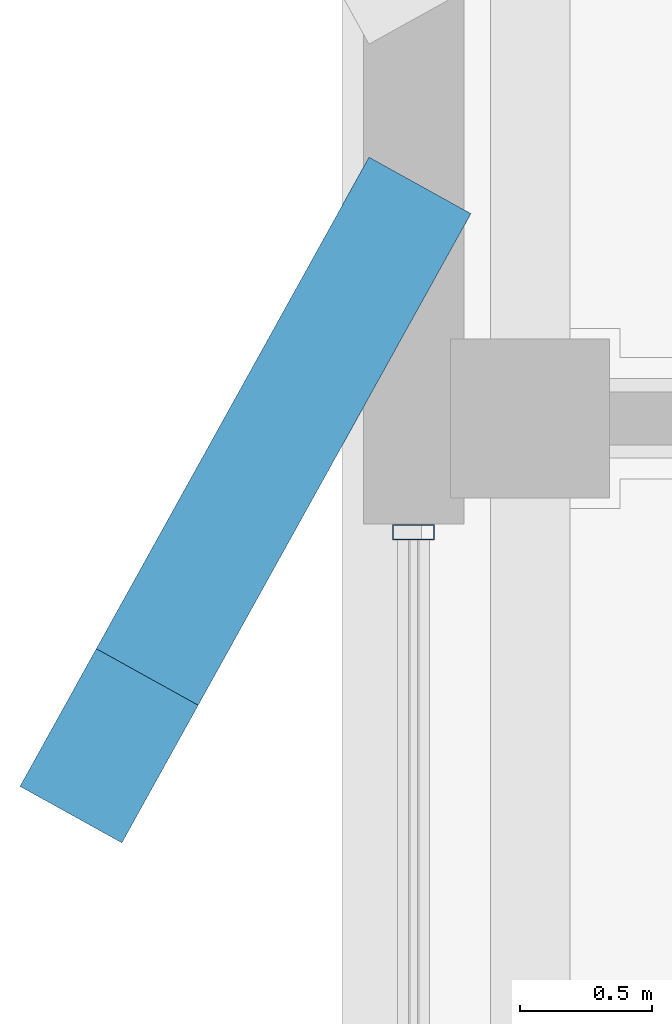
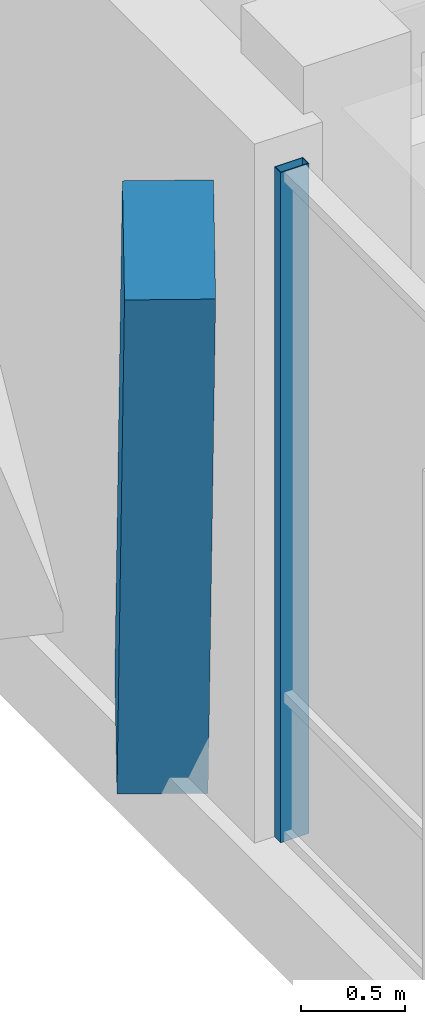
# One storey, part 96 of 233: 2 members, 1 element without a shape of its own.
"""IFC4 building model written with IfcOpenShell, lengths in metres."""

from ifc_helpers import new_model, si_unit, direction, frame, origin, origin_2d, place, context, subcontext, project, spatial, rectangle, hollow_rectangle, extrude, material, material_profile, profile_set, type_object, element, aggregate, save


model = new_model("IFC4")

# Units and contexts
model_context = context("Model", 3, precision=1e-05, world=origin(), true_north=direction((0.0, 1.0)))
body_context = subcontext(model_context, "Body", "Model", "MODEL_VIEW")
ifc_project = project(units=[si_unit("LENGTHUNIT", "METRE"), si_unit("AREAUNIT", "SQUARE_METRE"), si_unit("VOLUMEUNIT", "CUBIC_METRE"), si_unit("PLANEANGLEUNIT", "RADIAN"), si_unit("MASSUNIT", "GRAM", prefix="KILO")], contexts=[model_context])

# Site, building, storey
site_placement = place(None, origin())
site = spatial("IfcSite", under=ifc_project, at=site_placement, CompositionType="ELEMENT")
building_placement = place(site_placement, origin())
building = spatial("IfcBuilding", under=site, at=building_placement, Name="Zavelmont Quarter", CompositionType="ELEMENT")
storey_placement = place(building_placement, origin())
storey = spatial("IfcBuildingStorey", under=building, at=storey_placement, Name="L00", CompositionType="ELEMENT", Elevation=0.0)

# Curtain wall, member
ifc_material_1 = material(Name="Thermally broken aluminium and double low-E safety glazing", Category="aluminium")
curtain_wall_type = type_object("IfcCurtainWallType", Name="CW-670X395", PredefinedType="NOTDEFINED", material=ifc_material_1)
curtain_wall_placement = place(storey_placement, origin())
curtain_wall = element("IfcCurtainWall", 1, at=curtain_wall_placement, inside=storey, type_object=curtain_wall_type, Name="L00 unitised curtain wall CW-670X395", PredefinedType="NOTDEFINED")
ifc_material_2 = material(Name="Powder-coated aluminium EN AW-6063-T6", Category="aluminium")
ifc_material_profile_1 = material_profile(ifc_material_2, hollow_rectangle(XDim=0.06005859375, YDim=0.159912109375, WallThickness=0.00390625, at=origin_2d()), Name="CWM60X160")
ifc_profile_set_1 = profile_set([ifc_material_profile_1], Name="Powder-coated aluminium EN AW-6063-T6")
member_type_1 = type_object("IfcMemberType", Name="CWM01", PredefinedType="MULLION", material=ifc_profile_set_1)
member_1_placement = place(storey_placement, frame((0.0, 105.169921875, 0.0), z_axis=(0.0, 0.0, 1.0), x_axis=(0.0, 1.0, 0.0)))
member_1 = element("IfcMember", 2, at=member_1_placement, type_object=member_type_1, Name="CW-670X395 mullion 4", PredefinedType="MULLION", context=body_context, shape_type="SweptSolid", body=[
    extrude(hollow_rectangle(XDim=0.06005859375, YDim=0.159912109375, WallThickness=0.00390625, at=origin_2d()), origin(), (0.0, 0.0, 1.0), 3.949951171875),
])
aggregate(curtain_wall, [member_1])

# Member
ifc_material_3 = material(Name="White architectural precast concrete C40/50", Category="concrete")
ifc_material_profile_2 = material_profile(ifc_material_3, rectangle(XDim=0.43994140625, YDim=0.659912109375, at=origin_2d()), Name="PCR320X480")
ifc_profile_set_2 = profile_set([ifc_material_profile_2], Name="White architectural precast concrete C40/50")
member_type_2 = type_object("IfcMemberType", Name="VR01M", PredefinedType="CHORD", material=ifc_profile_set_2)
member_2_placement = place(storey_placement, frame((-0.1201171875, 106.219970703125, 0.0), z_axis=(-0.210789355932, -0.380050510162, 0.900627257611), x_axis=(0.87449877522, -0.485027723061, 0.0)))
element("IfcMember", 3, at=member_2_placement, inside=storey, type_object=member_type_2, Name="L00 member VR01M 1/Q to 1/Q", PredefinedType="CHORD", context=body_context, shape_type="SweptSolid", body=[
    extrude(rectangle(XDim=0.43994140625, YDim=0.659912109375, at=origin_2d()), origin(), (0.0, 0.0, 1.0), 4.88525390625),
])

save(model, "model.ifc")
